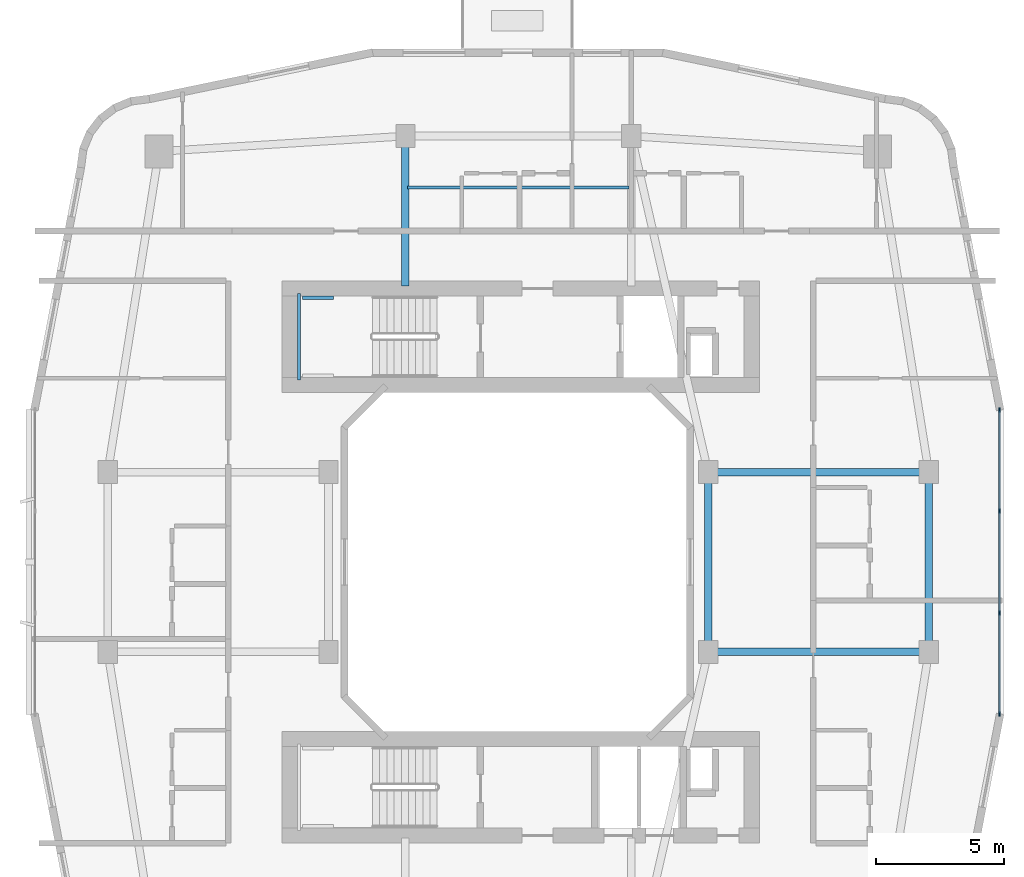
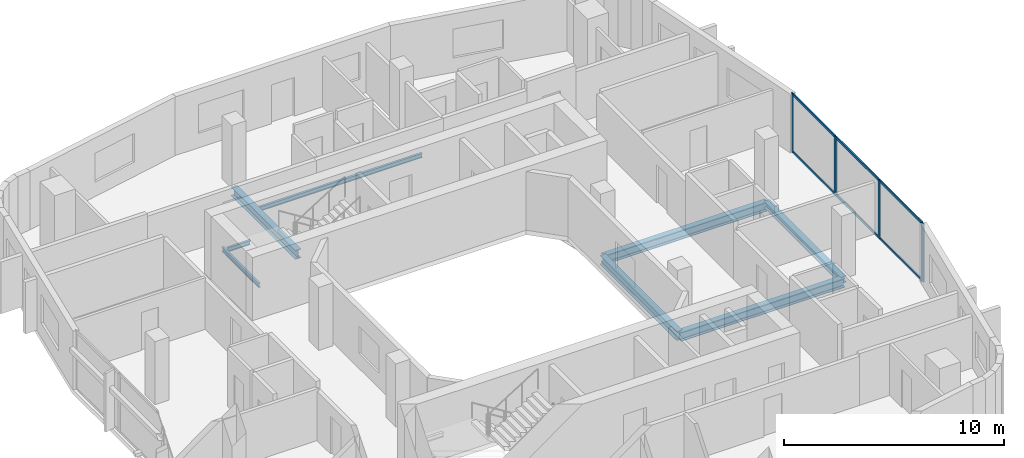
# One storey, part 6 of 22: 10 members, 8 beams, 1 element without a shape of its own.
"""IFC4 building model written with IfcOpenShell, lengths in metres."""

from ifc_helpers import new_model, si_unit, derived_unit, direction, frame, origin, origin_2d, place, context, subcontext, project, spatial, rectangle, i_section, extrude, material, layer, layer_set, material_profile, profile_set, type_object, element, aggregate, save


model = new_model("IFC4")

# Units and contexts
model_context = context("Model", 3, precision=1e-05, world=origin(), true_north=direction((0.0, 1.0)))
body_context = subcontext(model_context, "Body", "Model", "MODEL_VIEW")
ifc_project = project(units=[si_unit("LENGTHUNIT", "METRE"), si_unit("AREAUNIT", "SQUARE_METRE"), si_unit("VOLUMEUNIT", "CUBIC_METRE"), si_unit("PLANEANGLEUNIT", "RADIAN"), si_unit("MASSUNIT", "GRAM", prefix="KILO"), derived_unit("THERMALTRANSMITTANCEUNIT", [(si_unit("POWERUNIT", "WATT"), 1), (si_unit("LENGTHUNIT", "METRE"), -2), (si_unit("THERMODYNAMICTEMPERATUREUNIT", "KELVIN"), -1)])], contexts=[model_context])

# Site, building, storey
site_placement = place(None, origin())
site = spatial("IfcSite", under=ifc_project, at=site_placement, CompositionType="ELEMENT")
building_placement = place(site_placement, origin())
building = spatial("IfcBuilding", under=site, at=building_placement, Name="Kivonza Crest Hotel", CompositionType="ELEMENT")
storey_placement = place(building_placement, frame((0.0, 0.0, 27.5)))
storey = spatial("IfcBuildingStorey", under=building, at=storey_placement, Name="L06", CompositionType="ELEMENT", Elevation=27.5)

# Beams
ifc_material_1 = material(Name="Steel S355", Category="steel")
ifc_material_profile_1 = material_profile(ifc_material_1, i_section(OverallWidth=0.300048828125, OverallDepth=0.360107421875, WebThickness=0.012451171875, FlangeThickness=0.0224609375, FilletRadius=0.027099609375, at=origin_2d()), Name="HEB 360")
ifc_profile_set_1 = profile_set([ifc_material_profile_1], Name="Steel S355")
beam_type_1 = type_object("IfcBeamType", Name="BM-HEB360", PredefinedType="SPANDREL", material=ifc_profile_set_1)
beam_1_placement = place(storey_placement, frame((93.0, 21.5, -0.429931640625), z_axis=(0.0, 1.0, 0.0), x_axis=(-1.0, 0.0, 0.0)))
element("IfcBeam", 1, at=beam_1_placement, inside=storey, type_object=beam_type_1, Name="Companion Tower T2 L06 perimeter spandrel E1-E2", PredefinedType="SPANDREL", context=body_context, shape_type="SweptSolid", body=[
    extrude(i_section(OverallWidth=0.300048828125, OverallDepth=0.360107421875, WebThickness=0.012451171875, FlangeThickness=0.0224609375, FilletRadius=0.027099609375, at=origin_2d()), origin(), (0.0, 0.0, 1.0), 7.0),
])
ifc_material_profile_2 = material_profile(ifc_material_1, i_section(OverallWidth=0.300048828125, OverallDepth=0.5, WebThickness=0.014404296875, FlangeThickness=0.028076171875, FilletRadius=0.027099609375, at=origin_2d()), Name="HEB 500")
ifc_profile_set_2 = profile_set([ifc_material_profile_2], Name="Steel S355")
beam_type_2 = type_object("IfcBeamType", Name="BM-HEB500", PredefinedType="BEAM", material=ifc_profile_set_2)
for number, where, z_axis, x_axis, name in (
    (2, (84.39990234375, 21.5, -0.5), (1.0, 0.0, 0.0), (0.0, 1.0, 0.0), "Companion Tower T2 L06 girder WR1-E1"),
    (3, (84.39990234375, 28.5, -0.5), (1.0, 0.0, 0.0), (0.0, 1.0, 0.0), "Companion Tower T2 L06 girder WR2-E2"),
):
    element("IfcBeam", number, at=place(storey_placement, frame(where, z_axis=z_axis, x_axis=x_axis)), inside=storey, type_object=beam_type_2, Name=name, PredefinedType="BEAM", context=body_context, shape_type="SweptSolid", body=[
        extrude(i_section(OverallWidth=0.300048828125, OverallDepth=0.5, WebThickness=0.014404296875, FlangeThickness=0.028076171875, FilletRadius=0.027099609375, at=origin_2d()), origin(), (0.0, 0.0, 1.0), 8.60009765625),
    ])
beam_2_placement = place(storey_placement, frame((84.39990234375, 21.5, -0.5), z_axis=(0.0, 1.0, 0.0), x_axis=(-1.0, 0.0, 0.0)))
element("IfcBeam", 4, at=beam_2_placement, inside=storey, type_object=beam_type_2, Name="Companion Tower T2 L06 girder WR1-WR2", PredefinedType="BEAM", context=body_context, shape_type="SweptSolid", body=[
    extrude(i_section(OverallWidth=0.300048828125, OverallDepth=0.5, WebThickness=0.014404296875, FlangeThickness=0.028076171875, FilletRadius=0.027099609375, at=origin_2d()), origin(), (0.0, 0.0, 1.0), 7.0),
])
beam_3_placement = place(storey_placement, frame((72.60009765625, 41.60009765625, -0.5), z_axis=(0.0, -1.0, 0.0), x_axis=(1.0, 0.0, 0.0)))
element("IfcBeam", 5, at=beam_3_placement, inside=storey, type_object=beam_type_2, Name="Companion T2 L06 radial core girder RN1", PredefinedType="BEAM", context=body_context, shape_type="SweptSolid", body=[
    extrude(i_section(OverallWidth=0.300048828125, OverallDepth=0.5, WebThickness=0.014404296875, FlangeThickness=0.028076171875, FilletRadius=0.027099609375, at=origin_2d()), origin(), (0.0, 0.0, 1.0), 5.85009765625),
])
ifc_material_profile_3 = material_profile(ifc_material_1, i_section(OverallWidth=0.1201171875, OverallDepth=0.239990234375, WebThickness=0.006103515625, FlangeThickness=0.009765625, FilletRadius=0.014892578125, at=origin_2d()), Name="IPE 240")
ifc_profile_set_3 = profile_set([ifc_material_profile_3], Name="Steel S355")
beam_type_3 = type_object("IfcBeamType", Name="BM-IPE240", PredefinedType="JOIST", material=ifc_profile_set_3)
beam_4_placement = place(storey_placement, frame((72.679931640625, 39.60009765625, -0.3701171875), z_axis=(1.0, 0.0, 0.0), x_axis=(0.0, 1.0, 0.0)))
element("IfcBeam", 6, at=beam_4_placement, inside=storey, type_object=beam_type_3, Name="Companion Tower T2 L06 North floor joist", PredefinedType="JOIST", context=body_context, shape_type="SweptSolid", body=[
    extrude(i_section(OverallWidth=0.1201171875, OverallDepth=0.239990234375, WebThickness=0.006103515625, FlangeThickness=0.009765625, FilletRadius=0.014892578125, at=origin_2d()), origin(), (0.0, 0.0, 1.0), 8.64013671875),
])
ifc_material_profile_4 = material_profile(ifc_material_1, i_section(OverallWidth=0.1201171875, OverallDepth=0.239990234375, WebThickness=0.006103515625, FlangeThickness=0.009765625, FilletRadius=0.014892578125, at=origin_2d()), Name="IPE 240")
ifc_profile_set_4 = profile_set([ifc_material_profile_4], Name="Steel S355")
beam_type_4 = type_object("IfcBeamType", Name="BM-LLDG-240", PredefinedType="BEAM", material=ifc_profile_set_4)
beam_5_placement = place(storey_placement, frame((68.4599609375, 32.10009765625, 1.429931640625), z_axis=(0.0, 1.0, 0.0), x_axis=(-1.0, 0.0, 0.0)))
element("IfcBeam", 7, at=beam_5_placement, inside=storey, type_object=beam_type_4, Name="Stair ST-T2-N L06 West landing corbel", PredefinedType="BEAM", context=body_context, shape_type="SweptSolid", body=[
    extrude(i_section(OverallWidth=0.1201171875, OverallDepth=0.239990234375, WebThickness=0.006103515625, FlangeThickness=0.009765625, FilletRadius=0.014892578125, at=origin_2d()), origin(), (0.0, 0.0, 1.0), 3.35986328125),
])
beam_6_placement = place(storey_placement, frame((68.590087890625, 35.300048828125, 1.429931640625), z_axis=(1.0, 0.0, 0.0), x_axis=(0.0, 1.0, 0.0)))
element("IfcBeam", 8, at=beam_6_placement, inside=storey, type_object=beam_type_4, Name="Stair ST-T2-N L06 North landing corbel", PredefinedType="BEAM", context=body_context, shape_type="SweptSolid", body=[
    extrude(i_section(OverallWidth=0.1201171875, OverallDepth=0.239990234375, WebThickness=0.006103515625, FlangeThickness=0.009765625, FilletRadius=0.014892578125, at=origin_2d()), origin(), (0.0, 0.0, 1.0), 1.2099609375),
])

# Curtain wall, members
ifc_material_2 = material(Name="Anodised bronze aluminium and low-E double glazing", Category="aluminium")
ifc_layer = layer(ifc_material_2, 0.179931640625)
ifc_layer_set = layer_set([ifc_layer], Name="Anodised bronze aluminium and low-E double glazing")
curtain_wall_type = type_object("IfcCurtainWallType", Name="CW-SYS-4", PredefinedType="NOTDEFINED", material=ifc_layer_set)
curtain_wall_placement = place(storey_placement, origin())
curtain_wall = element("IfcCurtainWall", 9, at=curtain_wall_placement, inside=storey, type_object=curtain_wall_type, Name="L06 unitised curtain wall CW-T2-L06-17", PredefinedType="NOTDEFINED")
ifc_material_3 = material(Name="Anodised bronze aluminium", Category="aluminium")
ifc_material_profile_5 = material_profile(ifc_material_3, rectangle(XDim=0.06494140625, YDim=0.179931640625, at=origin_2d()), Name="CW-M 65x180")
ifc_profile_set_5 = profile_set([ifc_material_profile_5], Name="Anodised bronze aluminium")
member_type_1 = type_object("IfcMemberType", Name="CW-MUL-65x180", PredefinedType="MULLION", material=ifc_profile_set_5)
member_1_placement = place(storey_placement, frame((95.760009765625, 19.072509765625, 0.0), z_axis=(0.0, 0.0, 1.0), x_axis=(-1.0, 0.0, 0.0)))
member_1 = element("IfcMember", 10, at=member_1_placement, type_object=member_type_1, Name="CW-4 mullion 1", PredefinedType="MULLION", context=body_context, shape_type="SweptSolid", body=[
    extrude(rectangle(XDim=0.06494140625, YDim=0.179931640625, at=origin_2d()), origin(), (0.0, 0.0, 1.0), 3.25),
])
member_2_placement = place(storey_placement, frame((95.760009765625, 23.013427734375, 0.0), z_axis=(0.0, 0.0, 1.0), x_axis=(-1.0, 0.0, 0.0)))
member_2 = element("IfcMember", 11, at=member_2_placement, type_object=member_type_1, Name="CW-4 mullion 2", PredefinedType="MULLION", context=body_context, shape_type="SweptSolid", body=[
    extrude(rectangle(XDim=0.06494140625, YDim=0.179931640625, at=origin_2d()), origin(), (0.0, 0.0, 1.0), 3.25),
])
member_3_placement = place(storey_placement, frame((95.760009765625, 26.986572265625, 0.0), z_axis=(0.0, 0.0, 1.0), x_axis=(-1.0, 0.0, 0.0)))
member_3 = element("IfcMember", 12, at=member_3_placement, type_object=member_type_1, Name="CW-4 mullion 3", PredefinedType="MULLION", context=body_context, shape_type="SweptSolid", body=[
    extrude(rectangle(XDim=0.06494140625, YDim=0.179931640625, at=origin_2d()), origin(), (0.0, 0.0, 1.0), 3.25),
])
member_4_placement = place(storey_placement, frame((95.760009765625, 30.927490234375, 0.0), z_axis=(0.0, 0.0, 1.0), x_axis=(-1.0, 0.0, 0.0)))
member_4 = element("IfcMember", 13, at=member_4_placement, type_object=member_type_1, Name="CW-4 mullion 4", PredefinedType="MULLION", context=body_context, shape_type="SweptSolid", body=[
    extrude(rectangle(XDim=0.06494140625, YDim=0.179931640625, at=origin_2d()), origin(), (0.0, 0.0, 1.0), 3.25),
])
ifc_material_profile_6 = material_profile(ifc_material_3, rectangle(XDim=0.06494140625, YDim=0.139892578125, at=origin_2d()), Name="CW-T 65x140")
ifc_profile_set_6 = profile_set([ifc_material_profile_6], Name="Anodised bronze aluminium")
member_type_2 = type_object("IfcMemberType", Name="CW-TRN-65x140", PredefinedType="USERDEFINED", material=ifc_profile_set_6)
member_5_placement = place(storey_placement, frame((95.760009765625, 19.10498046875, 0.032470703125), z_axis=(0.0, 1.0, 0.0), x_axis=(-1.0, 0.0, 0.0)))
member_5 = element("IfcMember", 14, at=member_5_placement, type_object=member_type_2, Name="CW-4 transom 1.1", ObjectType="TRANSOM", PredefinedType="USERDEFINED", context=body_context, shape_type="SweptSolid", body=[
    extrude(rectangle(XDim=0.06494140625, YDim=0.139892578125, at=origin_2d()), origin(), (0.0, 0.0, 1.0), 3.875732421875),
])
member_6_placement = place(storey_placement, frame((95.760009765625, 19.10498046875, 3.217529296875), z_axis=(0.0, 1.0, 0.0), x_axis=(-1.0, 0.0, 0.0)))
member_6 = element("IfcMember", 15, at=member_6_placement, type_object=member_type_2, Name="CW-4 transom 1.2", ObjectType="TRANSOM", PredefinedType="USERDEFINED", context=body_context, shape_type="SweptSolid", body=[
    extrude(rectangle(XDim=0.06494140625, YDim=0.139892578125, at=origin_2d()), origin(), (0.0, 0.0, 1.0), 3.875732421875),
])
member_7_placement = place(storey_placement, frame((95.760009765625, 23.0458984375, 0.032470703125), z_axis=(0.0, 1.0, 0.0), x_axis=(-1.0, 0.0, 0.0)))
member_7 = element("IfcMember", 16, at=member_7_placement, type_object=member_type_2, Name="CW-4 transom 2.1", ObjectType="TRANSOM", PredefinedType="USERDEFINED", context=body_context, shape_type="SweptSolid", body=[
    extrude(rectangle(XDim=0.06494140625, YDim=0.139892578125, at=origin_2d()), origin(), (0.0, 0.0, 1.0), 3.908203125),
])
member_8_placement = place(storey_placement, frame((95.760009765625, 23.0458984375, 3.217529296875), z_axis=(0.0, 1.0, 0.0), x_axis=(-1.0, 0.0, 0.0)))
member_8 = element("IfcMember", 17, at=member_8_placement, type_object=member_type_2, Name="CW-4 transom 2.2", ObjectType="TRANSOM", PredefinedType="USERDEFINED", context=body_context, shape_type="SweptSolid", body=[
    extrude(rectangle(XDim=0.06494140625, YDim=0.139892578125, at=origin_2d()), origin(), (0.0, 0.0, 1.0), 3.908203125),
])
member_9_placement = place(storey_placement, frame((95.760009765625, 27.019287109375, 0.032470703125), z_axis=(0.0, 1.0, 0.0), x_axis=(-1.0, 0.0, 0.0)))
member_9 = element("IfcMember", 18, at=member_9_placement, type_object=member_type_2, Name="CW-4 transom 3.1", ObjectType="TRANSOM", PredefinedType="USERDEFINED", context=body_context, shape_type="SweptSolid", body=[
    extrude(rectangle(XDim=0.06494140625, YDim=0.139892578125, at=origin_2d()), origin(), (0.0, 0.0, 1.0), 3.875732421875),
])
member_10_placement = place(storey_placement, frame((95.760009765625, 27.019287109375, 3.217529296875), z_axis=(0.0, 1.0, 0.0), x_axis=(-1.0, 0.0, 0.0)))
member_10 = element("IfcMember", 19, at=member_10_placement, type_object=member_type_2, Name="CW-4 transom 3.2", ObjectType="TRANSOM", PredefinedType="USERDEFINED", context=body_context, shape_type="SweptSolid", body=[
    extrude(rectangle(XDim=0.06494140625, YDim=0.139892578125, at=origin_2d()), origin(), (0.0, 0.0, 1.0), 3.875732421875),
])
aggregate(curtain_wall, [member_1, member_2, member_3, member_4, member_5, member_6, member_7, member_8, member_9, member_10])

save(model, "model.ifc")
